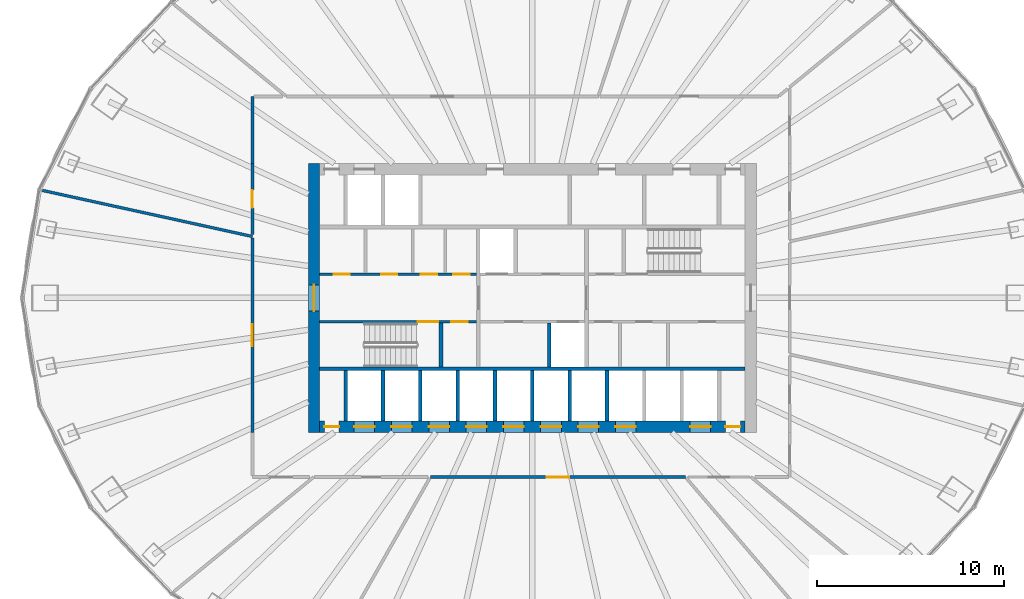
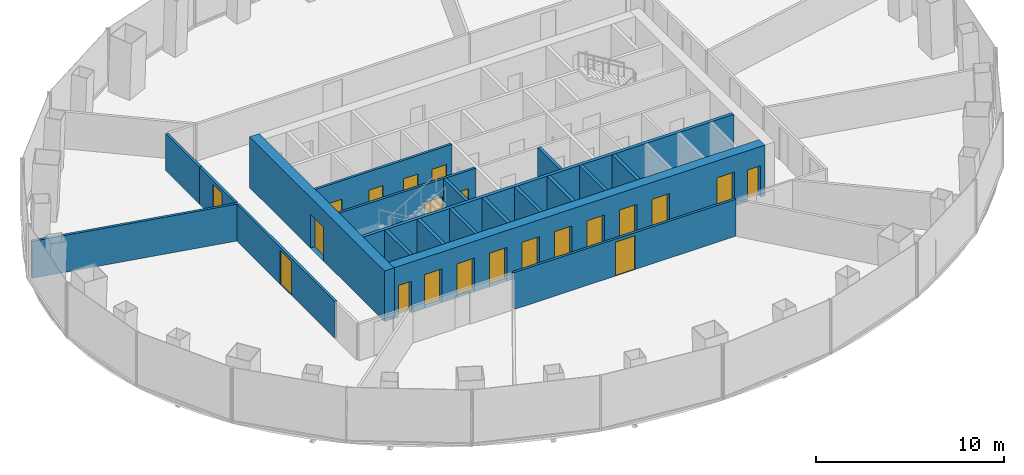
# One storey, part 8 of 11: 21 doors, 20 walls, 21 openings.
"""IFC4 building model written with IfcOpenShell, lengths in metres."""

from ifc_helpers import new_model, si_unit, direction, frame, frame_2d, origin, place, context, subcontext, project, spatial, rectangle, extrude, material, layer, layer_set, type_object, element, fill, save


model = new_model("IFC4")

# Units and contexts
model_context = context("Model", 3, precision=1e-05, world=origin(), true_north=direction((0.0, 1.0)))
body_context = subcontext(model_context, "Body", "Model", "MODEL_VIEW")
ifc_project = project(units=[si_unit("LENGTHUNIT", "METRE"), si_unit("AREAUNIT", "SQUARE_METRE"), si_unit("VOLUMEUNIT", "CUBIC_METRE"), si_unit("PLANEANGLEUNIT", "RADIAN"), si_unit("MASSUNIT", "GRAM", prefix="KILO")], contexts=[model_context])

# Site, building, storey
site_placement = place(None, origin())
site = spatial("IfcSite", under=ifc_project, at=site_placement, CompositionType="ELEMENT")
building_placement = place(site_placement, origin())
building = spatial("IfcBuilding", under=site, at=building_placement, Name="Siaravel Broadcast Tower", CompositionType="ELEMENT")
storey_placement = place(building_placement, frame((0.0, 0.0, 66.699951171875)))
storey = spatial("IfcBuildingStorey", under=building, at=storey_placement, Name="L15", CompositionType="ELEMENT", Elevation=66.699951171875)

# Wall, opening, door
ifc_material_1 = material(Name="Concrete C60/75", Category="concrete")
ifc_layer_1 = layer(ifc_material_1, 0.60009765625)
ifc_layer_set_1 = layer_set([ifc_layer_1], Name="Concrete C60/75")
wall_type_1 = type_object("IfcWallType", Name="Core wall 600", PredefinedType="SHEAR", material=ifc_layer_set_1)
wall_1_placement = place(storey_placement, frame((-11.699951171875, -7.199951171875, 0.0), z_axis=(0.0, 0.0, 1.0), x_axis=(0.0, 1.0, 0.0)))
wall_1 = element("IfcWall", 1, at=wall_1_placement, inside=storey, type_object=wall_type_1, Name="L15 core wall OW", PredefinedType="SHEAR", context=body_context, shape_type="SweptSolid", body=[
    extrude(rectangle(XDim=14.39990234375, YDim=0.60009765625, at=frame_2d((7.199951171875, 0.0))), origin(), (0.0, 0.0, 1.0), 3.300048828125),
])
opening_1_placement = place(wall_1_placement, frame((6.5, 0.0, 0.0)))
opening_1 = element("IfcOpeningElement", 2, at=opening_1_placement, cuts=wall_1, Name="Opening L15-DX-W", PredefinedType="OPENING", context=body_context, shape_type="SweptSolid", body=[
    extrude(rectangle(XDim=1.39990234375, YDim=2.199951171875, at=frame_2d((0.699951171875, 1.10009765625))), frame((0.0, 0.31005859375, 0.0), z_axis=(0.0, -1.0, 0.0), x_axis=(1.0, 0.0, 0.0)), (0.0, 0.0, 1.0), 0.6201171875),
])
ifc_material_2 = material(Name="Steel", Category="steel")
door_type_1 = type_object("IfcDoorType", Name="Core exit door 1400", OperationType="DOUBLE_DOOR_SINGLE_SWING", PredefinedType="DOOR", material=ifc_material_2)
door_1_placement = place(opening_1_placement, origin())
door_1 = element("IfcDoor", 3, at=door_1_placement, inside=storey, type_object=door_type_1, Name="L15 door DX-W", OperationType="DOUBLE_DOOR_SINGLE_SWING", OverallHeight=2.199951171875, OverallWidth=1.39990234375, PredefinedType="DOOR", context=body_context, shape_type="SweptSolid", body=[
    extrude(rectangle(XDim=1.39990234375, YDim=2.199951171875, at=frame_2d((0.699951171875, 1.10009765625))), frame((0.0, 0.02490234375, 0.0), z_axis=(0.0, -1.0, 0.0), x_axis=(1.0, 0.0, 0.0)), (0.0, 0.0, 1.0), 0.050048828125),
])
fill(opening_1, door_1)

# Wall, openings, doors
wall_2_placement = place(storey_placement, frame((-11.39990234375, -6.89990234375, 0.0), z_axis=(0.0, 0.0, 1.0), x_axis=(1.0, 0.0, 0.0)))
wall_2 = element("IfcWall", 4, at=wall_2_placement, inside=storey, type_object=wall_type_1, Name="L15 core wall OS", PredefinedType="SHEAR", context=body_context, shape_type="SweptSolid", body=[
    extrude(rectangle(XDim=22.7998046875, YDim=0.60009765625, at=frame_2d((11.39990234375, 0.0))), origin(), (0.0, 0.0, 1.0), 3.300048828125),
])
opening_2_placement = place(wall_2_placement, frame((1.85009765625, 0.0, 0.0)))
opening_2 = element("IfcOpeningElement", 5, at=opening_2_placement, cuts=wall_2, Name="Opening LD-LP1-L15", PredefinedType="OPENING", context=body_context, shape_type="SweptSolid", body=[
    extrude(rectangle(XDim=1.10009765625, YDim=2.199951171875, at=frame_2d((0.550048828125, 1.10009765625))), frame((0.0, 0.31005859375, 0.0), z_axis=(0.0, -1.0, 0.0), x_axis=(1.0, 0.0, 0.0)), (0.0, 0.0, 1.0), 0.6201171875),
])
opening_3_placement = place(wall_2_placement, frame((3.85009765625, 0.0, 0.0)))
opening_3 = element("IfcOpeningElement", 6, at=opening_3_placement, cuts=wall_2, Name="Opening LD-LP2-L15", PredefinedType="OPENING", context=body_context, shape_type="SweptSolid", body=[
    extrude(rectangle(XDim=1.10009765625, YDim=2.199951171875, at=frame_2d((0.550048828125, 1.10009765625))), frame((0.0, 0.31005859375, 0.0), z_axis=(0.0, -1.0, 0.0), x_axis=(1.0, 0.0, 0.0)), (0.0, 0.0, 1.0), 0.6201171875),
])
opening_4_placement = place(wall_2_placement, frame((5.85009765625, 0.0, 0.0)))
opening_4 = element("IfcOpeningElement", 7, at=opening_4_placement, cuts=wall_2, Name="Opening LD-LP3-L15", PredefinedType="OPENING", context=body_context, shape_type="SweptSolid", body=[
    extrude(rectangle(XDim=1.10009765625, YDim=2.199951171875, at=frame_2d((0.550048828125, 1.10009765625))), frame((0.0, 0.31005859375, 0.0), z_axis=(0.0, -1.0, 0.0), x_axis=(1.0, 0.0, 0.0)), (0.0, 0.0, 1.0), 0.6201171875),
])
opening_5_placement = place(wall_2_placement, frame((7.85009765625, 0.0, 0.0)))
opening_5 = element("IfcOpeningElement", 8, at=opening_5_placement, cuts=wall_2, Name="Opening LD-LP4-L15", PredefinedType="OPENING", context=body_context, shape_type="SweptSolid", body=[
    extrude(rectangle(XDim=1.10009765625, YDim=2.199951171875, at=frame_2d((0.550048828125, 1.10009765625))), frame((0.0, 0.31005859375, 0.0), z_axis=(0.0, -1.0, 0.0), x_axis=(1.0, 0.0, 0.0)), (0.0, 0.0, 1.0), 0.6201171875),
])
opening_6_placement = place(wall_2_placement, frame((9.85009765625, 0.0, 0.0)))
opening_6 = element("IfcOpeningElement", 9, at=opening_6_placement, cuts=wall_2, Name="Opening LD-LP5-L15", PredefinedType="OPENING", context=body_context, shape_type="SweptSolid", body=[
    extrude(rectangle(XDim=1.10009765625, YDim=2.199951171875, at=frame_2d((0.550048828125, 1.10009765625))), frame((0.0, 0.31005859375, 0.0), z_axis=(0.0, -1.0, 0.0), x_axis=(1.0, 0.0, 0.0)), (0.0, 0.0, 1.0), 0.6201171875),
])
opening_7_placement = place(wall_2_placement, frame((11.85009765625, 0.0, 0.0)))
opening_7 = element("IfcOpeningElement", 10, at=opening_7_placement, cuts=wall_2, Name="Opening LD-LP6-L15", PredefinedType="OPENING", context=body_context, shape_type="SweptSolid", body=[
    extrude(rectangle(XDim=1.10009765625, YDim=2.199951171875, at=frame_2d((0.550048828125, 1.10009765625))), frame((0.0, 0.31005859375, 0.0), z_axis=(0.0, -1.0, 0.0), x_axis=(1.0, 0.0, 0.0)), (0.0, 0.0, 1.0), 0.6201171875),
])
opening_8_placement = place(wall_2_placement, frame((13.85009765625, 0.0, 0.0)))
opening_8 = element("IfcOpeningElement", 11, at=opening_8_placement, cuts=wall_2, Name="Opening LD-LP7-L15", PredefinedType="OPENING", context=body_context, shape_type="SweptSolid", body=[
    extrude(rectangle(XDim=1.10009765625, YDim=2.199951171875, at=frame_2d((0.550048828125, 1.10009765625))), frame((0.0, 0.31005859375, 0.0), z_axis=(0.0, -1.0, 0.0), x_axis=(1.0, 0.0, 0.0)), (0.0, 0.0, 1.0), 0.6201171875),
])
opening_9_placement = place(wall_2_placement, frame((15.85009765625, 0.0, 0.0)))
opening_9 = element("IfcOpeningElement", 12, at=opening_9_placement, cuts=wall_2, Name="Opening LD-LP8-L15", PredefinedType="OPENING", context=body_context, shape_type="SweptSolid", body=[
    extrude(rectangle(XDim=1.10009765625, YDim=2.199951171875, at=frame_2d((0.550048828125, 1.10009765625))), frame((0.0, 0.31005859375, 0.0), z_axis=(0.0, -1.0, 0.0), x_axis=(1.0, 0.0, 0.0)), (0.0, 0.0, 1.0), 0.6201171875),
])
opening_10_placement = place(wall_2_placement, frame((19.85009765625, 0.0, 0.0)))
opening_10 = element("IfcOpeningElement", 13, at=opening_10_placement, cuts=wall_2, Name="Opening LD-SV1-L15", PredefinedType="OPENING", context=body_context, shape_type="SweptSolid", body=[
    extrude(rectangle(XDim=1.10009765625, YDim=2.199951171875, at=frame_2d((0.550048828125, 1.10009765625))), frame((0.0, 0.31005859375, 0.0), z_axis=(0.0, -1.0, 0.0), x_axis=(1.0, 0.0, 0.0)), (0.0, 0.0, 1.0), 0.6201171875),
])
opening_11_placement = place(wall_2_placement, frame((0.25, 0.0, 0.0)))
opening_11 = element("IfcOpeningElement", 14, at=opening_11_placement, cuts=wall_2, Name="Opening L15-DRSW", PredefinedType="OPENING", context=body_context, shape_type="SweptSolid", body=[
    extrude(rectangle(XDim=0.800048828125, YDim=2.050048828125, at=frame_2d((0.39990234375, 1.02490234375))), frame((0.0, 0.31005859375, 0.0), z_axis=(0.0, -1.0, 0.0), x_axis=(1.0, 0.0, 0.0)), (0.0, 0.0, 1.0), 0.6201171875),
])
opening_12_placement = place(wall_2_placement, frame((21.75, 0.0, 0.0)))
opening_12 = element("IfcOpeningElement", 15, at=opening_12_placement, cuts=wall_2, Name="Opening L15-DRSE", PredefinedType="OPENING", context=body_context, shape_type="SweptSolid", body=[
    extrude(rectangle(XDim=0.800048828125, YDim=2.050048828125, at=frame_2d((0.39990234375, 1.02490234375))), frame((0.0, 0.31005859375, 0.0), z_axis=(0.0, -1.0, 0.0), x_axis=(1.0, 0.0, 0.0)), (0.0, 0.0, 1.0), 0.6201171875),
])
ifc_material_3 = material(Name="Stainless steel 316L", Category="steel")
door_type_2 = type_object("IfcDoorType", Name="Lift landing door 1100", OperationType="DOUBLE_DOOR_SLIDING", PredefinedType="DOOR", material=ifc_material_3)
door_2_placement = place(opening_2_placement, origin())
door_2 = element("IfcDoor", 16, at=door_2_placement, inside=storey, type_object=door_type_2, Name="Landing door LP1 L15", OperationType="DOUBLE_DOOR_SLIDING", OverallHeight=2.199951171875, OverallWidth=1.10009765625, PredefinedType="DOOR", context=body_context, shape_type="SweptSolid", body=[
    extrude(rectangle(XDim=1.10009765625, YDim=2.199951171875, at=frame_2d((0.550048828125, 1.10009765625))), frame((0.0, 0.02490234375, 0.0), z_axis=(0.0, -1.0, 0.0), x_axis=(1.0, 0.0, 0.0)), (0.0, 0.0, 1.0), 0.050048828125),
])
fill(opening_2, door_2)
door_3_placement = place(opening_3_placement, origin())
door_3 = element("IfcDoor", 17, at=door_3_placement, inside=storey, type_object=door_type_2, Name="Landing door LP2 L15", OperationType="DOUBLE_DOOR_SLIDING", OverallHeight=2.199951171875, OverallWidth=1.10009765625, PredefinedType="DOOR", context=body_context, shape_type="SweptSolid", body=[
    extrude(rectangle(XDim=1.10009765625, YDim=2.199951171875, at=frame_2d((0.550048828125, 1.10009765625))), frame((0.0, 0.02490234375, 0.0), z_axis=(0.0, -1.0, 0.0), x_axis=(1.0, 0.0, 0.0)), (0.0, 0.0, 1.0), 0.050048828125),
])
fill(opening_3, door_3)
door_4_placement = place(opening_4_placement, origin())
door_4 = element("IfcDoor", 18, at=door_4_placement, inside=storey, type_object=door_type_2, Name="Landing door LP3 L15", OperationType="DOUBLE_DOOR_SLIDING", OverallHeight=2.199951171875, OverallWidth=1.10009765625, PredefinedType="DOOR", context=body_context, shape_type="SweptSolid", body=[
    extrude(rectangle(XDim=1.10009765625, YDim=2.199951171875, at=frame_2d((0.550048828125, 1.10009765625))), frame((0.0, 0.02490234375, 0.0), z_axis=(0.0, -1.0, 0.0), x_axis=(1.0, 0.0, 0.0)), (0.0, 0.0, 1.0), 0.050048828125),
])
fill(opening_4, door_4)
door_5_placement = place(opening_5_placement, origin())
door_5 = element("IfcDoor", 19, at=door_5_placement, inside=storey, type_object=door_type_2, Name="Landing door LP4 L15", OperationType="DOUBLE_DOOR_SLIDING", OverallHeight=2.199951171875, OverallWidth=1.10009765625, PredefinedType="DOOR", context=body_context, shape_type="SweptSolid", body=[
    extrude(rectangle(XDim=1.10009765625, YDim=2.199951171875, at=frame_2d((0.550048828125, 1.10009765625))), frame((0.0, 0.02490234375, 0.0), z_axis=(0.0, -1.0, 0.0), x_axis=(1.0, 0.0, 0.0)), (0.0, 0.0, 1.0), 0.050048828125),
])
fill(opening_5, door_5)
door_6_placement = place(opening_6_placement, origin())
door_6 = element("IfcDoor", 20, at=door_6_placement, inside=storey, type_object=door_type_2, Name="Landing door LP5 L15", OperationType="DOUBLE_DOOR_SLIDING", OverallHeight=2.199951171875, OverallWidth=1.10009765625, PredefinedType="DOOR", context=body_context, shape_type="SweptSolid", body=[
    extrude(rectangle(XDim=1.10009765625, YDim=2.199951171875, at=frame_2d((0.550048828125, 1.10009765625))), frame((0.0, 0.02490234375, 0.0), z_axis=(0.0, -1.0, 0.0), x_axis=(1.0, 0.0, 0.0)), (0.0, 0.0, 1.0), 0.050048828125),
])
fill(opening_6, door_6)
door_7_placement = place(opening_7_placement, origin())
door_7 = element("IfcDoor", 21, at=door_7_placement, inside=storey, type_object=door_type_2, Name="Landing door LP6 L15", OperationType="DOUBLE_DOOR_SLIDING", OverallHeight=2.199951171875, OverallWidth=1.10009765625, PredefinedType="DOOR", context=body_context, shape_type="SweptSolid", body=[
    extrude(rectangle(XDim=1.10009765625, YDim=2.199951171875, at=frame_2d((0.550048828125, 1.10009765625))), frame((0.0, 0.02490234375, 0.0), z_axis=(0.0, -1.0, 0.0), x_axis=(1.0, 0.0, 0.0)), (0.0, 0.0, 1.0), 0.050048828125),
])
fill(opening_7, door_7)
door_8_placement = place(opening_8_placement, origin())
door_8 = element("IfcDoor", 22, at=door_8_placement, inside=storey, type_object=door_type_2, Name="Landing door LP7 L15", OperationType="DOUBLE_DOOR_SLIDING", OverallHeight=2.199951171875, OverallWidth=1.10009765625, PredefinedType="DOOR", context=body_context, shape_type="SweptSolid", body=[
    extrude(rectangle(XDim=1.10009765625, YDim=2.199951171875, at=frame_2d((0.550048828125, 1.10009765625))), frame((0.0, 0.02490234375, 0.0), z_axis=(0.0, -1.0, 0.0), x_axis=(1.0, 0.0, 0.0)), (0.0, 0.0, 1.0), 0.050048828125),
])
fill(opening_8, door_8)
door_9_placement = place(opening_9_placement, origin())
door_9 = element("IfcDoor", 23, at=door_9_placement, inside=storey, type_object=door_type_2, Name="Landing door LP8 L15", OperationType="DOUBLE_DOOR_SLIDING", OverallHeight=2.199951171875, OverallWidth=1.10009765625, PredefinedType="DOOR", context=body_context, shape_type="SweptSolid", body=[
    extrude(rectangle(XDim=1.10009765625, YDim=2.199951171875, at=frame_2d((0.550048828125, 1.10009765625))), frame((0.0, 0.02490234375, 0.0), z_axis=(0.0, -1.0, 0.0), x_axis=(1.0, 0.0, 0.0)), (0.0, 0.0, 1.0), 0.050048828125),
])
fill(opening_9, door_9)
door_type_3 = type_object("IfcDoorType", Name="Riser door 800", OperationType="SINGLE_SWING_LEFT", PredefinedType="DOOR", material=ifc_material_2)
door_10_placement = place(opening_11_placement, origin())
door_10 = element("IfcDoor", 24, at=door_10_placement, inside=storey, type_object=door_type_3, Name="L15 door DRSW", OperationType="SINGLE_SWING_LEFT", OverallHeight=2.050048828125, OverallWidth=0.800048828125, PredefinedType="DOOR", context=body_context, shape_type="SweptSolid", body=[
    extrude(rectangle(XDim=0.800048828125, YDim=2.050048828125, at=frame_2d((0.39990234375, 1.02490234375))), frame((0.0, 0.02490234375, 0.0), z_axis=(0.0, -1.0, 0.0), x_axis=(1.0, 0.0, 0.0)), (0.0, 0.0, 1.0), 0.050048828125),
])
fill(opening_11, door_10)
door_11_placement = place(opening_12_placement, origin())
door_11 = element("IfcDoor", 25, at=door_11_placement, inside=storey, type_object=door_type_3, Name="L15 door DRSE", OperationType="SINGLE_SWING_LEFT", OverallHeight=2.050048828125, OverallWidth=0.800048828125, PredefinedType="DOOR", context=body_context, shape_type="SweptSolid", body=[
    extrude(rectangle(XDim=0.800048828125, YDim=2.050048828125, at=frame_2d((0.39990234375, 1.02490234375))), frame((0.0, 0.02490234375, 0.0), z_axis=(0.0, -1.0, 0.0), x_axis=(1.0, 0.0, 0.0)), (0.0, 0.0, 1.0), 0.050048828125),
])
fill(opening_12, door_11)
door_type_4 = type_object("IfcDoorType", Name="Service lift landing door 1100", OperationType="DOUBLE_DOOR_SLIDING", PredefinedType="DOOR", material=ifc_material_3)
door_12_placement = place(opening_10_placement, origin())
door_12 = element("IfcDoor", 26, at=door_12_placement, inside=storey, type_object=door_type_4, Name="Landing door SV1 L15", OperationType="DOUBLE_DOOR_SLIDING", OverallHeight=2.199951171875, OverallWidth=1.10009765625, PredefinedType="DOOR", context=body_context, shape_type="SweptSolid", body=[
    extrude(rectangle(XDim=1.10009765625, YDim=2.199951171875, at=frame_2d((0.550048828125, 1.10009765625))), frame((0.0, 0.02490234375, 0.0), z_axis=(0.0, -1.0, 0.0), x_axis=(1.0, 0.0, 0.0)), (0.0, 0.0, 1.0), 0.050048828125),
])
fill(opening_10, door_12)

ifc_material_4 = material(Name="Gypsum board partition", Category="gypsum")
ifc_layer_2 = layer(ifc_material_4, 0.14990234375)
ifc_layer_set_2 = layer_set([ifc_layer_2], Name="Gypsum board partition")
wall_type_2 = type_object("IfcWallType", Name="Corridor wall 150", PredefinedType="PARTITIONING", material=ifc_layer_set_2)
wall_3_placement = place(storey_placement, frame((-11.39990234375, 1.27490234375, 0.0), z_axis=(0.0, 0.0, 1.0), x_axis=(1.0, 0.0, 0.0)))
wall_3 = element("IfcWall", 27, at=wall_3_placement, inside=storey, type_object=wall_type_2, Name="L15 core partition CNW", PredefinedType="PARTITIONING", context=body_context, shape_type="SweptSolid", body=[
    extrude(rectangle(XDim=8.39990234375, YDim=0.14990234375, at=frame_2d((4.199951171875, 0.0))), origin(), (0.0, 0.0, 1.0), 3.300048828125),
])
opening_13_placement = place(wall_3_placement, frame((0.767578125, 0.0, 0.0)))
opening_13 = element("IfcOpeningElement", 28, at=opening_13_placement, cuts=wall_3, Name="Opening L15-DNW0", PredefinedType="OPENING", context=body_context, shape_type="SweptSolid", body=[
    extrude(rectangle(XDim=0.85009765625, YDim=2.10009765625, at=frame_2d((0.425048828125, 1.050048828125))), frame((0.0, 0.0849609375, 0.0), z_axis=(0.0, -1.0, 0.0), x_axis=(1.0, 0.0, 0.0)), (0.0, 0.0, 1.0), 0.169921875),
])
opening_14_placement = place(wall_3_placement, frame((3.302490234375, 0.0, 0.0)))
opening_14 = element("IfcOpeningElement", 29, at=opening_14_placement, cuts=wall_3, Name="Opening L15-DNW1", PredefinedType="OPENING", context=body_context, shape_type="SweptSolid", body=[
    extrude(rectangle(XDim=0.85009765625, YDim=2.10009765625, at=frame_2d((0.425048828125, 1.050048828125))), frame((0.0, 0.0849609375, 0.0), z_axis=(0.0, -1.0, 0.0), x_axis=(1.0, 0.0, 0.0)), (0.0, 0.0, 1.0), 0.169921875),
])
opening_15_placement = place(wall_3_placement, frame((5.4150390625, 0.0, 0.0)))
opening_15 = element("IfcOpeningElement", 30, at=opening_15_placement, cuts=wall_3, Name="Opening L15-DNW2", PredefinedType="OPENING", context=body_context, shape_type="SweptSolid", body=[
    extrude(rectangle(XDim=0.89990234375, YDim=2.10009765625, at=frame_2d((0.449951171875, 1.050048828125))), frame((0.0, 0.0849609375, 0.0), z_axis=(0.0, -1.0, 0.0), x_axis=(1.0, 0.0, 0.0)), (0.0, 0.0, 1.0), 0.169921875),
])
opening_16_placement = place(wall_3_placement, frame((7.155029296875, 0.0, 0.0)))
opening_16 = element("IfcOpeningElement", 31, at=opening_16_placement, cuts=wall_3, Name="Opening L15-DNW3", PredefinedType="OPENING", context=body_context, shape_type="SweptSolid", body=[
    extrude(rectangle(XDim=0.89990234375, YDim=2.10009765625, at=frame_2d((0.449951171875, 1.050048828125))), frame((0.0, 0.0849609375, 0.0), z_axis=(0.0, -1.0, 0.0), x_axis=(1.0, 0.0, 0.0)), (0.0, 0.0, 1.0), 0.169921875),
])
ifc_material_5 = material(Name="Timber veneer", Category="wood")
door_type_5 = type_object("IfcDoorType", Name="Core room door 900", OperationType="SINGLE_SWING_LEFT", PredefinedType="DOOR", material=ifc_material_5)
door_13_placement = place(opening_15_placement, origin())
door_13 = element("IfcDoor", 32, at=door_13_placement, inside=storey, type_object=door_type_5, Name="L15 door DNW2", OperationType="SINGLE_SWING_LEFT", OverallHeight=2.10009765625, OverallWidth=0.89990234375, PredefinedType="DOOR", context=body_context, shape_type="SweptSolid", body=[
    extrude(rectangle(XDim=0.89990234375, YDim=2.10009765625, at=frame_2d((0.449951171875, 1.050048828125))), frame((0.0, 0.02490234375, 0.0), z_axis=(0.0, -1.0, 0.0), x_axis=(1.0, 0.0, 0.0)), (0.0, 0.0, 1.0), 0.050048828125),
])
fill(opening_15, door_13)
door_14_placement = place(opening_16_placement, origin())
door_14 = element("IfcDoor", 33, at=door_14_placement, inside=storey, type_object=door_type_5, Name="L15 door DNW3", OperationType="SINGLE_SWING_LEFT", OverallHeight=2.10009765625, OverallWidth=0.89990234375, PredefinedType="DOOR", context=body_context, shape_type="SweptSolid", body=[
    extrude(rectangle(XDim=0.89990234375, YDim=2.10009765625, at=frame_2d((0.449951171875, 1.050048828125))), frame((0.0, 0.02490234375, 0.0), z_axis=(0.0, -1.0, 0.0), x_axis=(1.0, 0.0, 0.0)), (0.0, 0.0, 1.0), 0.050048828125),
])
fill(opening_16, door_14)
door_type_6 = type_object("IfcDoorType", Name="Core toilet door 850", OperationType="SINGLE_SWING_LEFT", PredefinedType="DOOR", material=ifc_material_5)
door_15_placement = place(opening_13_placement, origin())
door_15 = element("IfcDoor", 34, at=door_15_placement, inside=storey, type_object=door_type_6, Name="L15 door DNW0", OperationType="SINGLE_SWING_LEFT", OverallHeight=2.10009765625, OverallWidth=0.85009765625, PredefinedType="DOOR", context=body_context, shape_type="SweptSolid", body=[
    extrude(rectangle(XDim=0.85009765625, YDim=2.10009765625, at=frame_2d((0.425048828125, 1.050048828125))), frame((0.0, 0.02490234375, 0.0), z_axis=(0.0, -1.0, 0.0), x_axis=(1.0, 0.0, 0.0)), (0.0, 0.0, 1.0), 0.050048828125),
])
fill(opening_13, door_15)
door_16_placement = place(opening_14_placement, origin())
door_16 = element("IfcDoor", 35, at=door_16_placement, inside=storey, type_object=door_type_6, Name="L15 door DNW1", OperationType="SINGLE_SWING_LEFT", OverallHeight=2.10009765625, OverallWidth=0.85009765625, PredefinedType="DOOR", context=body_context, shape_type="SweptSolid", body=[
    extrude(rectangle(XDim=0.85009765625, YDim=2.10009765625, at=frame_2d((0.425048828125, 1.050048828125))), frame((0.0, 0.02490234375, 0.0), z_axis=(0.0, -1.0, 0.0), x_axis=(1.0, 0.0, 0.0)), (0.0, 0.0, 1.0), 0.050048828125),
])
fill(opening_14, door_16)

# Wall, opening, door
wall_4_placement = place(storey_placement, frame((-5.465087890625, -9.60009765625, 0.0), z_axis=(0.0, 0.0, 1.0), x_axis=(1.0, 0.0, 0.0)))
wall_4 = element("IfcWall", 36, at=wall_4_placement, inside=storey, type_object=wall_type_2, Name="L15 partition 2", PredefinedType="PARTITIONING", context=body_context, shape_type="SweptSolid", body=[
    extrude(rectangle(XDim=13.671630859375, YDim=0.14990234375, at=frame_2d((6.8359375, 0.0))), origin(), (0.0, 0.0, 1.0), 2.400146484375),
])
opening_17_placement = place(wall_4_placement, frame((6.23583984375, 0.0, 0.0)))
opening_17 = element("IfcOpeningElement", 37, at=opening_17_placement, cuts=wall_4, Name="Opening L15-012", PredefinedType="OPENING", context=body_context, shape_type="SweptSolid", body=[
    extrude(rectangle(XDim=1.199951171875, YDim=2.199951171875, at=frame_2d((0.60009765625, 1.10009765625))), frame((0.0, 0.0849609375, 0.0), z_axis=(0.0, -1.0, 0.0), x_axis=(1.0, 0.0, 0.0)), (0.0, 0.0, 1.0), 0.169921875),
])
door_type_7 = type_object("IfcDoorType", Name="Office double door 1200", OperationType="DOUBLE_DOOR_SINGLE_SWING", PredefinedType="DOOR", material=ifc_material_5)
door_17_placement = place(opening_17_placement, origin())
door_17 = element("IfcDoor", 38, at=door_17_placement, inside=storey, type_object=door_type_7, Name="L15 door to Open plan newsroom", OperationType="DOUBLE_DOOR_SINGLE_SWING", OverallHeight=2.199951171875, OverallWidth=1.199951171875, PredefinedType="DOOR", context=body_context, shape_type="SweptSolid", body=[
    extrude(rectangle(XDim=1.199951171875, YDim=2.199951171875, at=frame_2d((0.60009765625, 1.10009765625))), frame((0.0, 0.02490234375, 0.0), z_axis=(0.0, -1.0, 0.0), x_axis=(1.0, 0.0, 0.0)), (0.0, 0.0, 1.0), 0.050048828125),
])
fill(opening_17, door_17)

wall_5_placement = place(storey_placement, frame((-15.0, 3.217041015625, 0.0), z_axis=(0.0, 0.0, 1.0), x_axis=(0.0, -1.0, 0.0)))
wall_5 = element("IfcWall", 39, at=wall_5_placement, inside=storey, type_object=wall_type_2, Name="L15 partition 9", PredefinedType="PARTITIONING", context=body_context, shape_type="SweptSolid", body=[
    extrude(rectangle(XDim=10.428955078125, YDim=0.14990234375, at=frame_2d((5.21435546875, 0.0))), origin(), (0.0, 0.0, 1.0), 2.400146484375),
])
opening_18_placement = place(wall_5_placement, frame((4.614501953125, 0.0, 0.0)))
opening_18 = element("IfcOpeningElement", 40, at=opening_18_placement, cuts=wall_5, Name="Opening L15-009", PredefinedType="OPENING", context=body_context, shape_type="SweptSolid", body=[
    extrude(rectangle(XDim=1.199951171875, YDim=2.199951171875, at=frame_2d((0.60009765625, 1.10009765625))), frame((0.0, 0.0849609375, 0.0), z_axis=(0.0, -1.0, 0.0), x_axis=(1.0, 0.0, 0.0)), (0.0, 0.0, 1.0), 0.169921875),
])
door_18_placement = place(opening_18_placement, origin())
door_18 = element("IfcDoor", 41, at=door_18_placement, inside=storey, type_object=door_type_7, Name="L15 door to Open plan newsroom", OperationType="DOUBLE_DOOR_SINGLE_SWING", OverallHeight=2.199951171875, OverallWidth=1.199951171875, PredefinedType="DOOR", context=body_context, shape_type="SweptSolid", body=[
    extrude(rectangle(XDim=1.199951171875, YDim=2.199951171875, at=frame_2d((0.60009765625, 1.10009765625))), frame((0.0, 0.02490234375, 0.0), z_axis=(0.0, -1.0, 0.0), x_axis=(1.0, 0.0, 0.0)), (0.0, 0.0, 1.0), 0.050048828125),
])
fill(opening_18, door_18)

wall_6_placement = place(storey_placement, frame((-15.0, 7.2119140625, 0.0), z_axis=(0.0, 0.0, 1.0), x_axis=(0.0, -1.0, 0.0)))
wall_6 = element("IfcWall", 42, at=wall_6_placement, inside=storey, type_object=wall_type_2, Name="L15 partition 20", PredefinedType="PARTITIONING", context=body_context, shape_type="SweptSolid", body=[
    extrude(rectangle(XDim=3.824462890625, YDim=0.14990234375, at=frame_2d((1.912109375, 0.0))), origin(), (0.0, 0.0, 1.0), 2.400146484375),
])
opening_19_placement = place(wall_6_placement, frame((1.437255859375, 0.0, 0.0)))
opening_19 = element("IfcOpeningElement", 43, at=opening_19_placement, cuts=wall_6, Name="Opening L15-008", PredefinedType="OPENING", context=body_context, shape_type="SweptSolid", body=[
    extrude(rectangle(XDim=0.949951171875, YDim=2.14990234375, at=frame_2d((0.47509765625, 1.074951171875))), frame((0.0, 0.0849609375, 0.0), z_axis=(0.0, -1.0, 0.0), x_axis=(1.0, 0.0, 0.0)), (0.0, 0.0, 1.0), 0.169921875),
])
door_type_8 = type_object("IfcDoorType", Name="Office door 950", OperationType="SINGLE_SWING_LEFT", PredefinedType="DOOR", material=ifc_material_5)
door_19_placement = place(opening_19_placement, origin())
door_19 = element("IfcDoor", 44, at=door_19_placement, inside=storey, type_object=door_type_8, Name="L15 door to Graphics studio", OperationType="SINGLE_SWING_RIGHT", OverallHeight=2.14990234375, OverallWidth=0.949951171875, PredefinedType="DOOR", context=body_context, shape_type="SweptSolid", body=[
    extrude(rectangle(XDim=0.949951171875, YDim=2.14990234375, at=frame_2d((0.47509765625, 1.074951171875))), frame((0.0, 0.02490234375, 0.0), z_axis=(0.0, -1.0, 0.0), x_axis=(1.0, 0.0, 0.0)), (0.0, 0.0, 1.0), 0.050048828125),
])
fill(opening_19, door_19)

# Walls
wall_7_placement = place(storey_placement, frame((-15.0, 10.800048828125, 0.0), z_axis=(0.0, 0.0, 1.0), x_axis=(0.0, -1.0, 0.0)))
element("IfcWall", 45, at=wall_7_placement, inside=storey, type_object=wall_type_2, Name="L15 partition 21", PredefinedType="PARTITIONING", context=body_context, shape_type="SweptSolid", body=[
    extrude(rectangle(XDim=3.587158203125, YDim=0.14990234375, at=frame_2d((1.79345703125, 0.0))), origin(), (0.0, 0.0, 1.0), 2.400146484375),
])
ifc_layer_3 = layer(ifc_material_4, 0.14990234375)
ifc_layer_set_3 = layer_set([ifc_layer_3], Name="Gypsum board partition")
wall_type_3 = type_object("IfcWallType", Name="Room partition 150", PredefinedType="PARTITIONING", material=ifc_layer_set_3)
wall_8_placement = place(storey_placement, frame((-26.25048828125, 5.761474609375, 0.0), z_axis=(0.0, 0.0, 1.0), x_axis=(0.976751272, -0.214375729, 0.0)))
element("IfcWall", 46, at=wall_8_placement, inside=storey, type_object=wall_type_3, Name="L15 partition 6", PredefinedType="PARTITIONING", context=body_context, shape_type="SweptSolid", body=[
    extrude(rectangle(XDim=11.518310546875, YDim=0.14990234375, at=frame_2d((5.75927734375, 0.0))), origin(), (0.0, 0.0, 1.0), 2.400146484375),
])

# Wall, openings, doors
ifc_layer_4 = layer(ifc_material_1, 0.14990234375)
ifc_layer_set_4 = layer_set([ifc_layer_4], Name="Concrete C60/75")
wall_type_4 = type_object("IfcWallType", Name="Shaft wall 150", PredefinedType="SHEAR", material=ifc_layer_set_4)
wall_9_placement = place(storey_placement, frame((-11.39990234375, -1.27490234375, 0.0), z_axis=(0.0, 0.0, 1.0), x_axis=(1.0, 0.0, 0.0)))
wall_9 = element("IfcWall", 47, at=wall_9_placement, inside=storey, type_object=wall_type_4, Name="L15 core wall CSW", PredefinedType="SHEAR", context=body_context, shape_type="SweptSolid", body=[
    extrude(rectangle(XDim=8.39990234375, YDim=0.14990234375, at=frame_2d((4.199951171875, 0.0))), origin(), (0.0, 0.0, 1.0), 3.300048828125),
])
opening_20_placement = place(wall_9_placement, frame((5.25, 0.0, 0.0)))
opening_20 = element("IfcOpeningElement", 48, at=opening_20_placement, cuts=wall_9, Name="Opening L15-DS-1", PredefinedType="OPENING", context=body_context, shape_type="SweptSolid", body=[
    extrude(rectangle(XDim=1.10009765625, YDim=2.14990234375, at=frame_2d((0.550048828125, 1.074951171875))), frame((0.0, 0.0849609375, 0.0), z_axis=(0.0, -1.0, 0.0), x_axis=(1.0, 0.0, 0.0)), (0.0, 0.0, 1.0), 0.169921875),
])
opening_21_placement = place(wall_9_placement, frame((7.050048828125, 0.0, 0.0)))
opening_21 = element("IfcOpeningElement", 49, at=opening_21_placement, cuts=wall_9, Name="Opening L15-DSW0", PredefinedType="OPENING", context=body_context, shape_type="SweptSolid", body=[
    extrude(rectangle(XDim=0.89990234375, YDim=2.10009765625, at=frame_2d((0.449951171875, 1.050048828125))), frame((0.0, 0.0849609375, 0.0), z_axis=(0.0, -1.0, 0.0), x_axis=(1.0, 0.0, 0.0)), (0.0, 0.0, 1.0), 0.169921875),
])
door_20_placement = place(opening_21_placement, origin())
door_20 = element("IfcDoor", 50, at=door_20_placement, inside=storey, type_object=door_type_5, Name="L15 door DSW0", OperationType="SINGLE_SWING_LEFT", OverallHeight=2.10009765625, OverallWidth=0.89990234375, PredefinedType="DOOR", context=body_context, shape_type="SweptSolid", body=[
    extrude(rectangle(XDim=0.89990234375, YDim=2.10009765625, at=frame_2d((0.449951171875, 1.050048828125))), frame((0.0, 0.02490234375, 0.0), z_axis=(0.0, -1.0, 0.0), x_axis=(1.0, 0.0, 0.0)), (0.0, 0.0, 1.0), 0.050048828125),
])
fill(opening_21, door_20)
door_type_9 = type_object("IfcDoorType", Name="Stair door 1100", OperationType="SINGLE_SWING_LEFT", PredefinedType="DOOR", material=ifc_material_2)
door_21_placement = place(opening_20_placement, origin())
door_21 = element("IfcDoor", 51, at=door_21_placement, inside=storey, type_object=door_type_9, Name="L15 door DS-1", OperationType="SINGLE_SWING_LEFT", OverallHeight=2.14990234375, OverallWidth=1.10009765625, PredefinedType="DOOR", context=body_context, shape_type="SweptSolid", body=[
    extrude(rectangle(XDim=1.10009765625, YDim=2.14990234375, at=frame_2d((0.550048828125, 1.074951171875))), frame((0.0, 0.02490234375, 0.0), z_axis=(0.0, -1.0, 0.0), x_axis=(1.0, 0.0, 0.0)), (0.0, 0.0, 1.0), 0.050048828125),
])
fill(opening_20, door_21)

# Walls
ifc_layer_5 = layer(ifc_material_1, 0.199951171875)
ifc_layer_set_5 = layer_set([ifc_layer_5], Name="Concrete C60/75")
wall_type_5 = type_object("IfcWallType", Name="Shaft wall 200", PredefinedType="SHEAR", material=ifc_layer_set_5)
wall_10_placement = place(storey_placement, frame((-11.39990234375, -3.800048828125, 0.0), z_axis=(0.0, 0.0, 1.0), x_axis=(1.0, 0.0, 0.0)))
element("IfcWall", 52, at=wall_10_placement, inside=storey, type_object=wall_type_5, Name="L15 core wall BS", PredefinedType="SHEAR", context=body_context, shape_type="SweptSolid", body=[
    extrude(rectangle(XDim=22.7998046875, YDim=0.199951171875, at=frame_2d((11.39990234375, 0.0))), origin(), (0.0, 0.0, 1.0), 3.300048828125),
])
for number, where, z_axis, x_axis, name in (
    (53, (-10.0, -6.60009765625, 0.0), (0.0, 0.0, 1.0), (0.0, 1.0, 0.0), "L15 core wall SWS0"),
    (54, (-8.0, -6.60009765625, 0.0), (0.0, 0.0, 1.0), (0.0, 1.0, 0.0), "L15 core wall SWS1"),
    (55, (-6.0, -6.60009765625, 0.0), (0.0, 0.0, 1.0), (0.0, 1.0, 0.0), "L15 core wall SWS2"),
    (56, (-4.0, -6.60009765625, 0.0), (0.0, 0.0, 1.0), (0.0, 1.0, 0.0), "L15 core wall SWS3"),
    (57, (-2.0, -6.60009765625, 0.0), (0.0, 0.0, 1.0), (0.0, 1.0, 0.0), "L15 core wall SWS4"),
    (58, (0.0, -6.60009765625, 0.0), (0.0, 0.0, 1.0), (0.0, 1.0, 0.0), "L15 core wall SWS5"),
    (59, (2.0, -6.60009765625, 0.0), (0.0, 0.0, 1.0), (0.0, 1.0, 0.0), "L15 core wall SWS6"),
    (60, (4.0, -6.60009765625, 0.0), (0.0, 0.0, 1.0), (0.0, 1.0, 0.0), "L15 core wall SWS7"),
):
    element("IfcWall", number, at=place(storey_placement, frame(where, z_axis=z_axis, x_axis=x_axis)), inside=storey, type_object=wall_type_5, Name=name, PredefinedType="SHEAR", context=body_context, shape_type="SweptSolid", body=[
        extrude(rectangle(XDim=2.7001953125, YDim=0.199951171875, at=frame_2d((1.35009765625, 0.0))), origin(), (0.0, 0.0, 1.0), 3.300048828125),
    ])
for number, where, z_axis, x_axis, name in (
    (61, (0.89990234375, -3.699951171875, 0.0), (0.0, 0.0, 1.0), (0.0, 1.0, 0.0), "L15 core wall FF2W"),
    (62, (-4.89990234375, -3.699951171875, 0.0), (0.0, 0.0, 1.0), (0.0, 1.0, 0.0), "L15 core wall ST1E"),
):
    element("IfcWall", number, at=place(storey_placement, frame(where, z_axis=z_axis, x_axis=x_axis)), inside=storey, type_object=wall_type_5, Name=name, PredefinedType="SHEAR", context=body_context, shape_type="SweptSolid", body=[
        extrude(rectangle(XDim=2.349853515625, YDim=0.199951171875, at=frame_2d((1.1748046875, 0.0))), origin(), (0.0, 0.0, 1.0), 3.300048828125),
    ])

save(model, "model.ifc")
